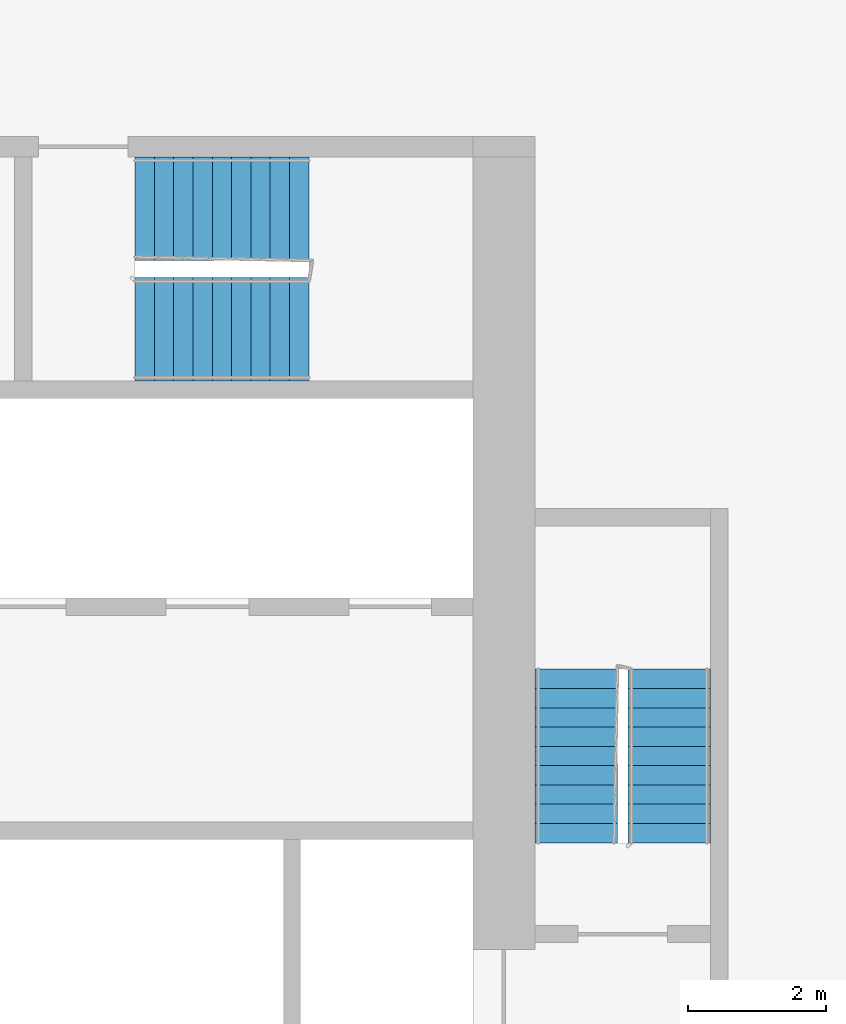
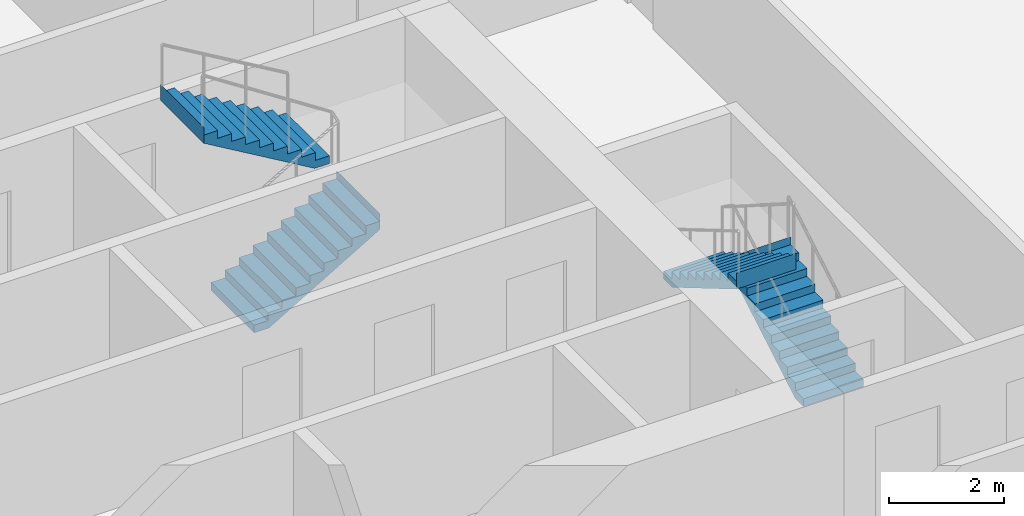
# One storey, part 11 of 12: 4 stair flights, 2 elements without a shape of their own.
"""IFC4 building model written with IfcOpenShell, lengths in metres."""

from ifc_helpers import new_model, si_unit, direction, frame, origin, place, context, subcontext, project, spatial, faceted_brep, material, type_object, element, aggregate, save


model = new_model("IFC4")

# Units and contexts
model_context = context("Model", 3, precision=1e-05, world=origin(), true_north=direction((0.0, 1.0)))
body_context = subcontext(model_context, "Body", "Model", "MODEL_VIEW")
ifc_project = project(units=[si_unit("LENGTHUNIT", "METRE"), si_unit("AREAUNIT", "SQUARE_METRE"), si_unit("VOLUMEUNIT", "CUBIC_METRE"), si_unit("PLANEANGLEUNIT", "RADIAN"), si_unit("MASSUNIT", "GRAM", prefix="KILO")], contexts=[model_context])

# Site, building, storey
site_placement = place(None, origin())
site = spatial("IfcSite", under=ifc_project, at=site_placement, CompositionType="ELEMENT")
building_placement = place(site_placement, origin())
building = spatial("IfcBuilding", under=site, at=building_placement, Name="Kajstack Hotel Tower", CompositionType="ELEMENT")
storey_placement = place(building_placement, frame((0.0, 0.0, 127.300048828125)))
storey = spatial("IfcBuildingStorey", under=building, at=storey_placement, Name="L28", CompositionType="ELEMENT", Elevation=127.300048828125)

# Stair, stair flights
ifc_material = material(Name="Concrete C40/50", Category="concrete")
stair_type_1 = type_object("IfcStairType", Name="Exit stair 1200", PredefinedType="HALF_TURN_STAIR", material=ifc_material)
stair_1_placement = place(storey_placement, origin())
stair_1 = element("IfcStair", 1, at=stair_1_placement, inside=storey, type_object=stair_type_1, Name="L28 stair E1", PredefinedType="HALF_TURN_STAIR")
stair_flight_type_1 = type_object("IfcStairFlightType", Name="Exit stair flight 1200", PredefinedType="STRAIGHT", material=ifc_material)
stair_flight_1_placement = place(storey_placement, frame((33.449951171875, 5.25, 0.0), z_axis=(0.0, 0.0, 1.0), x_axis=(0.0, 1.0, 0.0)))
stair_flight_1 = element("IfcStairFlight", 2, at=stair_flight_1_placement, type_object=stair_flight_type_1, Name="E1 flight 1", NumberOfRisers=10, NumberOfTreads=9, PredefinedType="STRAIGHT", RiserHeight=0.165, TreadLength=0.28, context=body_context, shape_type="Brep", body=[
    faceted_brep([(0.295654296875, -0.60009765625, 0.0), (2.5205078125, -0.60009765625, 1.31103515625), (2.5205078125, -0.60009765625, 1.64990234375), (2.52001953125, -0.60009765625, 1.64990234375), (2.52001953125, -0.60009765625, 1.485107421875), (2.239990234375, -0.60009765625, 1.485107421875), (2.239990234375, -0.60009765625, 1.320068359375), (1.9599609375, -0.60009765625, 1.320068359375), (1.9599609375, -0.60009765625, 1.155029296875), (1.679931640625, -0.60009765625, 1.155029296875), (1.679931640625, -0.60009765625, 0.989990234375), (1.39990234375, -0.60009765625, 0.989990234375), (1.39990234375, -0.60009765625, 0.824951171875), (1.1201171875, -0.60009765625, 0.824951171875), (1.1201171875, -0.60009765625, 0.659912109375), (0.840087890625, -0.60009765625, 0.659912109375), (0.840087890625, -0.60009765625, 0.4951171875), (0.56005859375, -0.60009765625, 0.4951171875), (0.56005859375, -0.60009765625, 0.330078125), (0.280029296875, -0.60009765625, 0.330078125), (0.280029296875, -0.60009765625, 0.1650390625), (-0.00048828125, -0.60009765625, 0.1650390625), (-0.00048828125, -0.60009765625, 0.0), (-0.00048828125, 0.60009765625, 0.0), (-0.00048828125, 0.60009765625, 0.1650390625), (0.280029296875, 0.60009765625, 0.1650390625), (0.280029296875, 0.60009765625, 0.330078125), (0.56005859375, 0.60009765625, 0.330078125), (0.56005859375, 0.60009765625, 0.4951171875), (0.840087890625, 0.60009765625, 0.4951171875), (0.840087890625, 0.60009765625, 0.659912109375), (1.1201171875, 0.60009765625, 0.659912109375), (1.1201171875, 0.60009765625, 0.824951171875), (1.39990234375, 0.60009765625, 0.824951171875), (1.39990234375, 0.60009765625, 0.989990234375), (1.679931640625, 0.60009765625, 0.989990234375), (1.679931640625, 0.60009765625, 1.155029296875), (1.9599609375, 0.60009765625, 1.155029296875), (1.9599609375, 0.60009765625, 1.320068359375), (2.239990234375, 0.60009765625, 1.320068359375), (2.239990234375, 0.60009765625, 1.485107421875), (2.52001953125, 0.60009765625, 1.485107421875), (2.52001953125, 0.60009765625, 1.64990234375), (2.5205078125, 0.60009765625, 1.64990234375), (2.5205078125, 0.60009765625, 1.31103515625), (0.295654296875, 0.60009765625, 0.0), (-0.00048828125, -0.300048828125, 0.1650390625), (-0.00048828125, 0.0, 0.1650390625), (-0.00048828125, 0.300048828125, 0.1650390625), (-0.00048828125, 0.300048828125, 0.0), (-0.00048828125, 0.0, 0.0), (-0.00048828125, -0.300048828125, 0.0), (0.280029296875, -0.300048828125, 0.1650390625), (0.280029296875, 0.0, 0.1650390625), (0.280029296875, 0.300048828125, 0.1650390625), (0.280029296875, -0.300048828125, 0.330078125), (0.280029296875, 0.0, 0.330078125), (0.280029296875, 0.300048828125, 0.330078125), (0.56005859375, -0.300048828125, 0.330078125), (0.56005859375, 0.0, 0.330078125), (0.56005859375, 0.300048828125, 0.330078125), (0.56005859375, -0.300048828125, 0.4951171875), (0.56005859375, 0.0, 0.4951171875), (0.56005859375, 0.300048828125, 0.4951171875), (0.840087890625, -0.300048828125, 0.4951171875), (0.840087890625, 0.0, 0.4951171875), (0.840087890625, 0.300048828125, 0.4951171875), (0.840087890625, -0.300048828125, 0.659912109375), (0.840087890625, 0.0, 0.659912109375), (0.840087890625, 0.300048828125, 0.659912109375), (1.1201171875, -0.300048828125, 0.659912109375), (1.1201171875, 0.0, 0.659912109375), (1.1201171875, 0.300048828125, 0.659912109375), (1.1201171875, -0.300048828125, 0.824951171875), (1.1201171875, 0.0, 0.824951171875), (1.1201171875, 0.300048828125, 0.824951171875), (1.39990234375, -0.300048828125, 0.824951171875), (1.39990234375, 0.0, 0.824951171875), (1.39990234375, 0.300048828125, 0.824951171875), (1.39990234375, -0.300048828125, 0.989990234375), (1.39990234375, 0.0, 0.989990234375), (1.39990234375, 0.300048828125, 0.989990234375), (1.679931640625, -0.300048828125, 0.989990234375), (1.679931640625, 0.0, 0.989990234375), (1.679931640625, 0.300048828125, 0.989990234375), (1.679931640625, -0.300048828125, 1.155029296875), (1.679931640625, 0.0, 1.155029296875), (1.679931640625, 0.300048828125, 1.155029296875), (1.9599609375, -0.300048828125, 1.155029296875), (1.9599609375, 0.0, 1.155029296875), (1.9599609375, 0.300048828125, 1.155029296875), (1.9599609375, -0.300048828125, 1.320068359375), (1.9599609375, 0.0, 1.320068359375), (1.9599609375, 0.300048828125, 1.320068359375), (2.239990234375, -0.300048828125, 1.320068359375), (2.239990234375, 0.0, 1.320068359375), (2.239990234375, 0.300048828125, 1.320068359375), (2.239990234375, -0.300048828125, 1.485107421875), (2.239990234375, 0.0, 1.485107421875), (2.239990234375, 0.300048828125, 1.485107421875), (2.52001953125, -0.300048828125, 1.485107421875), (2.52001953125, 0.0, 1.485107421875), (2.52001953125, 0.300048828125, 1.485107421875), (2.52001953125, -0.300048828125, 1.64990234375), (2.52001953125, 0.0, 1.64990234375), (2.52001953125, 0.300048828125, 1.64990234375), (2.5205078125, -0.300048828125, 1.64990234375), (2.5205078125, 0.0, 1.64990234375), (2.5205078125, 0.300048828125, 1.64990234375), (2.5205078125, -0.300048828125, 1.31103515625), (2.5205078125, 0.0, 1.31103515625), (2.5205078125, 0.300048828125, 1.31103515625), (0.295654296875, -0.300048828125, 0.0), (0.295654296875, 0.0, 0.0), (0.295654296875, 0.300048828125, 0.0)], [[[0, 1, 2, 3, 4, 5, 6, 7, 8, 9, 10, 11, 12, 13, 14, 15, 16, 17, 18, 19, 20, 21, 22]], [[23, 24, 25, 26, 27, 28, 29, 30, 31, 32, 33, 34, 35, 36, 37, 38, 39, 40, 41, 42, 43, 44, 45]], [[21, 46, 47, 48, 24, 23, 49, 50, 51, 22]], [[20, 52, 53, 54, 25, 24, 48, 47, 46, 21]], [[19, 55, 56, 57, 26, 25, 54, 53, 52, 20]], [[18, 58, 59, 60, 27, 26, 57, 56, 55, 19]], [[17, 61, 62, 63, 28, 27, 60, 59, 58, 18]], [[16, 64, 65, 66, 29, 28, 63, 62, 61, 17]], [[15, 67, 68, 69, 30, 29, 66, 65, 64, 16]], [[14, 70, 71, 72, 31, 30, 69, 68, 67, 15]], [[13, 73, 74, 75, 32, 31, 72, 71, 70, 14]], [[12, 76, 77, 78, 33, 32, 75, 74, 73, 13]], [[11, 79, 80, 81, 34, 33, 78, 77, 76, 12]], [[10, 82, 83, 84, 35, 34, 81, 80, 79, 11]], [[9, 85, 86, 87, 36, 35, 84, 83, 82, 10]], [[8, 88, 89, 90, 37, 36, 87, 86, 85, 9]], [[7, 91, 92, 93, 38, 37, 90, 89, 88, 8]], [[6, 94, 95, 96, 39, 38, 93, 92, 91, 7]], [[5, 97, 98, 99, 40, 39, 96, 95, 94, 6]], [[4, 100, 101, 102, 41, 40, 99, 98, 97, 5]], [[3, 103, 104, 105, 42, 41, 102, 101, 100, 4]], [[2, 106, 107, 108, 43, 42, 105, 104, 103, 3]], [[1, 109, 110, 111, 44, 43, 108, 107, 106, 2]], [[0, 112, 113, 114, 45, 44, 111, 110, 109, 1]], [[22, 51, 50, 49, 23, 45, 114, 113, 112, 0]]]),
])
stair_flight_2_placement = place(storey_placement, frame((32.10009765625, 7.77001953125, 1.64990234375), z_axis=(0.0, 0.0, 1.0), x_axis=(0.0, -1.0, 0.0)))
stair_flight_2 = element("IfcStairFlight", 3, at=stair_flight_2_placement, type_object=stair_flight_type_1, Name="E1 flight 2", NumberOfRisers=10, NumberOfTreads=9, PredefinedType="STRAIGHT", RiserHeight=0.165, TreadLength=0.28, context=body_context, shape_type="Brep", body=[
    faceted_brep([(0.295654296875, -0.60009765625, 0.0), (2.5205078125, -0.60009765625, 1.31103515625), (2.5205078125, -0.60009765625, 1.64990234375), (2.52001953125, -0.60009765625, 1.64990234375), (2.52001953125, -0.60009765625, 1.485107421875), (2.239990234375, -0.60009765625, 1.485107421875), (2.239990234375, -0.60009765625, 1.320068359375), (1.9599609375, -0.60009765625, 1.320068359375), (1.9599609375, -0.60009765625, 1.155029296875), (1.679931640625, -0.60009765625, 1.155029296875), (1.679931640625, -0.60009765625, 0.989990234375), (1.39990234375, -0.60009765625, 0.989990234375), (1.39990234375, -0.60009765625, 0.824951171875), (1.1201171875, -0.60009765625, 0.824951171875), (1.1201171875, -0.60009765625, 0.659912109375), (0.840087890625, -0.60009765625, 0.659912109375), (0.840087890625, -0.60009765625, 0.4951171875), (0.56005859375, -0.60009765625, 0.4951171875), (0.56005859375, -0.60009765625, 0.330078125), (0.280029296875, -0.60009765625, 0.330078125), (0.280029296875, -0.60009765625, 0.1650390625), (-0.00048828125, -0.60009765625, 0.1650390625), (-0.00048828125, -0.60009765625, 0.0), (-0.00048828125, 0.60009765625, 0.0), (-0.00048828125, 0.60009765625, 0.1650390625), (0.280029296875, 0.60009765625, 0.1650390625), (0.280029296875, 0.60009765625, 0.330078125), (0.56005859375, 0.60009765625, 0.330078125), (0.56005859375, 0.60009765625, 0.4951171875), (0.840087890625, 0.60009765625, 0.4951171875), (0.840087890625, 0.60009765625, 0.659912109375), (1.1201171875, 0.60009765625, 0.659912109375), (1.1201171875, 0.60009765625, 0.824951171875), (1.39990234375, 0.60009765625, 0.824951171875), (1.39990234375, 0.60009765625, 0.989990234375), (1.679931640625, 0.60009765625, 0.989990234375), (1.679931640625, 0.60009765625, 1.155029296875), (1.9599609375, 0.60009765625, 1.155029296875), (1.9599609375, 0.60009765625, 1.320068359375), (2.239990234375, 0.60009765625, 1.320068359375), (2.239990234375, 0.60009765625, 1.485107421875), (2.52001953125, 0.60009765625, 1.485107421875), (2.52001953125, 0.60009765625, 1.64990234375), (2.5205078125, 0.60009765625, 1.64990234375), (2.5205078125, 0.60009765625, 1.31103515625), (0.295654296875, 0.60009765625, 0.0), (-0.00048828125, -0.300048828125, 0.1650390625), (-0.00048828125, 0.0, 0.1650390625), (-0.00048828125, 0.300048828125, 0.1650390625), (-0.00048828125, 0.300048828125, 0.0), (-0.00048828125, 0.0, 0.0), (-0.00048828125, -0.300048828125, 0.0), (0.280029296875, -0.300048828125, 0.1650390625), (0.280029296875, 0.0, 0.1650390625), (0.280029296875, 0.300048828125, 0.1650390625), (0.280029296875, -0.300048828125, 0.330078125), (0.280029296875, 0.0, 0.330078125), (0.280029296875, 0.300048828125, 0.330078125), (0.56005859375, -0.300048828125, 0.330078125), (0.56005859375, 0.0, 0.330078125), (0.56005859375, 0.300048828125, 0.330078125), (0.56005859375, -0.300048828125, 0.4951171875), (0.56005859375, 0.0, 0.4951171875), (0.56005859375, 0.300048828125, 0.4951171875), (0.840087890625, -0.300048828125, 0.4951171875), (0.840087890625, 0.0, 0.4951171875), (0.840087890625, 0.300048828125, 0.4951171875), (0.840087890625, -0.300048828125, 0.659912109375), (0.840087890625, 0.0, 0.659912109375), (0.840087890625, 0.300048828125, 0.659912109375), (1.1201171875, -0.300048828125, 0.659912109375), (1.1201171875, 0.0, 0.659912109375), (1.1201171875, 0.300048828125, 0.659912109375), (1.1201171875, -0.300048828125, 0.824951171875), (1.1201171875, 0.0, 0.824951171875), (1.1201171875, 0.300048828125, 0.824951171875), (1.39990234375, -0.300048828125, 0.824951171875), (1.39990234375, 0.0, 0.824951171875), (1.39990234375, 0.300048828125, 0.824951171875), (1.39990234375, -0.300048828125, 0.989990234375), (1.39990234375, 0.0, 0.989990234375), (1.39990234375, 0.300048828125, 0.989990234375), (1.679931640625, -0.300048828125, 0.989990234375), (1.679931640625, 0.0, 0.989990234375), (1.679931640625, 0.300048828125, 0.989990234375), (1.679931640625, -0.300048828125, 1.155029296875), (1.679931640625, 0.0, 1.155029296875), (1.679931640625, 0.300048828125, 1.155029296875), (1.9599609375, -0.300048828125, 1.155029296875), (1.9599609375, 0.0, 1.155029296875), (1.9599609375, 0.300048828125, 1.155029296875), (1.9599609375, -0.300048828125, 1.320068359375), (1.9599609375, 0.0, 1.320068359375), (1.9599609375, 0.300048828125, 1.320068359375), (2.239990234375, -0.300048828125, 1.320068359375), (2.239990234375, 0.0, 1.320068359375), (2.239990234375, 0.300048828125, 1.320068359375), (2.239990234375, -0.300048828125, 1.485107421875), (2.239990234375, 0.0, 1.485107421875), (2.239990234375, 0.300048828125, 1.485107421875), (2.52001953125, -0.300048828125, 1.485107421875), (2.52001953125, 0.0, 1.485107421875), (2.52001953125, 0.300048828125, 1.485107421875), (2.52001953125, -0.300048828125, 1.64990234375), (2.52001953125, 0.0, 1.64990234375), (2.52001953125, 0.300048828125, 1.64990234375), (2.5205078125, -0.300048828125, 1.64990234375), (2.5205078125, 0.0, 1.64990234375), (2.5205078125, 0.300048828125, 1.64990234375), (2.5205078125, -0.300048828125, 1.31103515625), (2.5205078125, 0.0, 1.31103515625), (2.5205078125, 0.300048828125, 1.31103515625), (0.295654296875, -0.300048828125, 0.0), (0.295654296875, 0.0, 0.0), (0.295654296875, 0.300048828125, 0.0)], [[[0, 1, 2, 3, 4, 5, 6, 7, 8, 9, 10, 11, 12, 13, 14, 15, 16, 17, 18, 19, 20, 21, 22]], [[23, 24, 25, 26, 27, 28, 29, 30, 31, 32, 33, 34, 35, 36, 37, 38, 39, 40, 41, 42, 43, 44, 45]], [[21, 46, 47, 48, 24, 23, 49, 50, 51, 22]], [[20, 52, 53, 54, 25, 24, 48, 47, 46, 21]], [[19, 55, 56, 57, 26, 25, 54, 53, 52, 20]], [[18, 58, 59, 60, 27, 26, 57, 56, 55, 19]], [[17, 61, 62, 63, 28, 27, 60, 59, 58, 18]], [[16, 64, 65, 66, 29, 28, 63, 62, 61, 17]], [[15, 67, 68, 69, 30, 29, 66, 65, 64, 16]], [[14, 70, 71, 72, 31, 30, 69, 68, 67, 15]], [[13, 73, 74, 75, 32, 31, 72, 71, 70, 14]], [[12, 76, 77, 78, 33, 32, 75, 74, 73, 13]], [[11, 79, 80, 81, 34, 33, 78, 77, 76, 12]], [[10, 82, 83, 84, 35, 34, 81, 80, 79, 11]], [[9, 85, 86, 87, 36, 35, 84, 83, 82, 10]], [[8, 88, 89, 90, 37, 36, 87, 86, 85, 9]], [[7, 91, 92, 93, 38, 37, 90, 89, 88, 8]], [[6, 94, 95, 96, 39, 38, 93, 92, 91, 7]], [[5, 97, 98, 99, 40, 39, 96, 95, 94, 6]], [[4, 100, 101, 102, 41, 40, 99, 98, 97, 5]], [[3, 103, 104, 105, 42, 41, 102, 101, 100, 4]], [[2, 106, 107, 108, 43, 42, 105, 104, 103, 3]], [[1, 109, 110, 111, 44, 43, 108, 107, 106, 2]], [[0, 112, 113, 114, 45, 44, 111, 110, 109, 1]], [[22, 51, 50, 49, 23, 45, 114, 113, 112, 0]]]),
])
aggregate(stair_1, [stair_flight_1, stair_flight_2])

stair_type_2 = type_object("IfcStairType", Name="Exit stair 1500", PredefinedType="HALF_TURN_STAIR", material=ifc_material)
stair_2_placement = place(storey_placement, origin())
stair_2 = element("IfcStair", 4, at=stair_2_placement, inside=storey, type_object=stair_type_2, Name="L28 stair E3", PredefinedType="HALF_TURN_STAIR")
stair_flight_type_2 = type_object("IfcStairFlightType", Name="Exit stair flight 1500", PredefinedType="STRAIGHT", material=ifc_material)
stair_flight_3_placement = place(storey_placement, frame((25.699951171875, 12.699951171875, 0.0), z_axis=(0.0, 0.0, 1.0), x_axis=(1.0, 0.0, 0.0)))
stair_flight_3 = element("IfcStairFlight", 5, at=stair_flight_3_placement, type_object=stair_flight_type_2, Name="E3 flight 1", NumberOfRisers=10, NumberOfTreads=9, PredefinedType="STRAIGHT", RiserHeight=0.165, TreadLength=0.28, context=body_context, shape_type="Brep", body=[
    faceted_brep([(0.295654296875, -0.75, 0.0), (2.5205078125, -0.75, 1.31103515625), (2.5205078125, -0.75, 1.64990234375), (2.52001953125, -0.75, 1.64990234375), (2.52001953125, -0.75, 1.485107421875), (2.239990234375, -0.75, 1.485107421875), (2.239990234375, -0.75, 1.320068359375), (1.9599609375, -0.75, 1.320068359375), (1.9599609375, -0.75, 1.155029296875), (1.679931640625, -0.75, 1.155029296875), (1.679931640625, -0.75, 0.989990234375), (1.39990234375, -0.75, 0.989990234375), (1.39990234375, -0.75, 0.824951171875), (1.1201171875, -0.75, 0.824951171875), (1.1201171875, -0.75, 0.659912109375), (0.840087890625, -0.75, 0.659912109375), (0.840087890625, -0.75, 0.4951171875), (0.56005859375, -0.75, 0.4951171875), (0.56005859375, -0.75, 0.330078125), (0.280029296875, -0.75, 0.330078125), (0.280029296875, -0.75, 0.1650390625), (-0.00048828125, -0.75, 0.1650390625), (-0.00048828125, -0.75, 0.0), (-0.00048828125, 0.75, 0.0), (-0.00048828125, 0.75, 0.1650390625), (0.280029296875, 0.75, 0.1650390625), (0.280029296875, 0.75, 0.330078125), (0.56005859375, 0.75, 0.330078125), (0.56005859375, 0.75, 0.4951171875), (0.840087890625, 0.75, 0.4951171875), (0.840087890625, 0.75, 0.659912109375), (1.1201171875, 0.75, 0.659912109375), (1.1201171875, 0.75, 0.824951171875), (1.39990234375, 0.75, 0.824951171875), (1.39990234375, 0.75, 0.989990234375), (1.679931640625, 0.75, 0.989990234375), (1.679931640625, 0.75, 1.155029296875), (1.9599609375, 0.75, 1.155029296875), (1.9599609375, 0.75, 1.320068359375), (2.239990234375, 0.75, 1.320068359375), (2.239990234375, 0.75, 1.485107421875), (2.52001953125, 0.75, 1.485107421875), (2.52001953125, 0.75, 1.64990234375), (2.5205078125, 0.75, 1.64990234375), (2.5205078125, 0.75, 1.31103515625), (0.295654296875, 0.75, 0.0), (-0.00048828125, -0.375, 0.1650390625), (-0.00048828125, 0.0, 0.1650390625), (-0.00048828125, 0.375, 0.1650390625), (-0.00048828125, 0.375, 0.0), (-0.00048828125, 0.0, 0.0), (-0.00048828125, -0.375, 0.0), (0.280029296875, -0.375, 0.1650390625), (0.280029296875, 0.0, 0.1650390625), (0.280029296875, 0.375, 0.1650390625), (0.280029296875, -0.375, 0.330078125), (0.280029296875, 0.0, 0.330078125), (0.280029296875, 0.375, 0.330078125), (0.56005859375, -0.375, 0.330078125), (0.56005859375, 0.0, 0.330078125), (0.56005859375, 0.375, 0.330078125), (0.56005859375, -0.375, 0.4951171875), (0.56005859375, 0.0, 0.4951171875), (0.56005859375, 0.375, 0.4951171875), (0.840087890625, -0.375, 0.4951171875), (0.840087890625, 0.0, 0.4951171875), (0.840087890625, 0.375, 0.4951171875), (0.840087890625, -0.375, 0.659912109375), (0.840087890625, 0.0, 0.659912109375), (0.840087890625, 0.375, 0.659912109375), (1.1201171875, -0.375, 0.659912109375), (1.1201171875, 0.0, 0.659912109375), (1.1201171875, 0.375, 0.659912109375), (1.1201171875, -0.375, 0.824951171875), (1.1201171875, 0.0, 0.824951171875), (1.1201171875, 0.375, 0.824951171875), (1.39990234375, -0.375, 0.824951171875), (1.39990234375, 0.0, 0.824951171875), (1.39990234375, 0.375, 0.824951171875), (1.39990234375, -0.375, 0.989990234375), (1.39990234375, 0.0, 0.989990234375), (1.39990234375, 0.375, 0.989990234375), (1.679931640625, -0.375, 0.989990234375), (1.679931640625, 0.0, 0.989990234375), (1.679931640625, 0.375, 0.989990234375), (1.679931640625, -0.375, 1.155029296875), (1.679931640625, 0.0, 1.155029296875), (1.679931640625, 0.375, 1.155029296875), (1.9599609375, -0.375, 1.155029296875), (1.9599609375, 0.0, 1.155029296875), (1.9599609375, 0.375, 1.155029296875), (1.9599609375, -0.375, 1.320068359375), (1.9599609375, 0.0, 1.320068359375), (1.9599609375, 0.375, 1.320068359375), (2.239990234375, -0.375, 1.320068359375), (2.239990234375, 0.0, 1.320068359375), (2.239990234375, 0.375, 1.320068359375), (2.239990234375, -0.375, 1.485107421875), (2.239990234375, 0.0, 1.485107421875), (2.239990234375, 0.375, 1.485107421875), (2.52001953125, -0.375, 1.485107421875), (2.52001953125, 0.0, 1.485107421875), (2.52001953125, 0.375, 1.485107421875), (2.52001953125, -0.375, 1.64990234375), (2.52001953125, 0.0, 1.64990234375), (2.52001953125, 0.375, 1.64990234375), (2.5205078125, -0.375, 1.64990234375), (2.5205078125, 0.0, 1.64990234375), (2.5205078125, 0.375, 1.64990234375), (2.5205078125, -0.375, 1.31103515625), (2.5205078125, 0.0, 1.31103515625), (2.5205078125, 0.375, 1.31103515625), (0.295654296875, -0.375, 0.0), (0.295654296875, 0.0, 0.0), (0.295654296875, 0.375, 0.0)], [[[0, 1, 2, 3, 4, 5, 6, 7, 8, 9, 10, 11, 12, 13, 14, 15, 16, 17, 18, 19, 20, 21, 22]], [[23, 24, 25, 26, 27, 28, 29, 30, 31, 32, 33, 34, 35, 36, 37, 38, 39, 40, 41, 42, 43, 44, 45]], [[21, 46, 47, 48, 24, 23, 49, 50, 51, 22]], [[20, 52, 53, 54, 25, 24, 48, 47, 46, 21]], [[19, 55, 56, 57, 26, 25, 54, 53, 52, 20]], [[18, 58, 59, 60, 27, 26, 57, 56, 55, 19]], [[17, 61, 62, 63, 28, 27, 60, 59, 58, 18]], [[16, 64, 65, 66, 29, 28, 63, 62, 61, 17]], [[15, 67, 68, 69, 30, 29, 66, 65, 64, 16]], [[14, 70, 71, 72, 31, 30, 69, 68, 67, 15]], [[13, 73, 74, 75, 32, 31, 72, 71, 70, 14]], [[12, 76, 77, 78, 33, 32, 75, 74, 73, 13]], [[11, 79, 80, 81, 34, 33, 78, 77, 76, 12]], [[10, 82, 83, 84, 35, 34, 81, 80, 79, 11]], [[9, 85, 86, 87, 36, 35, 84, 83, 82, 10]], [[8, 88, 89, 90, 37, 36, 87, 86, 85, 9]], [[7, 91, 92, 93, 38, 37, 90, 89, 88, 8]], [[6, 94, 95, 96, 39, 38, 93, 92, 91, 7]], [[5, 97, 98, 99, 40, 39, 96, 95, 94, 6]], [[4, 100, 101, 102, 41, 40, 99, 98, 97, 5]], [[3, 103, 104, 105, 42, 41, 102, 101, 100, 4]], [[2, 106, 107, 108, 43, 42, 105, 104, 103, 3]], [[1, 109, 110, 111, 44, 43, 108, 107, 106, 2]], [[0, 112, 113, 114, 45, 44, 111, 110, 109, 1]], [[22, 51, 50, 49, 23, 45, 114, 113, 112, 0]]]),
])
stair_flight_4_placement = place(storey_placement, frame((28.219970703125, 14.449951171875, 1.64990234375), z_axis=(0.0, 0.0, 1.0), x_axis=(-1.0, 0.0, 0.0)))
stair_flight_4 = element("IfcStairFlight", 6, at=stair_flight_4_placement, type_object=stair_flight_type_2, Name="E3 flight 2", NumberOfRisers=10, NumberOfTreads=9, PredefinedType="STRAIGHT", RiserHeight=0.165, TreadLength=0.28, context=body_context, shape_type="Brep", body=[
    faceted_brep([(0.295654296875, -0.75, 0.0), (2.5205078125, -0.75, 1.31103515625), (2.5205078125, -0.75, 1.64990234375), (2.52001953125, -0.75, 1.64990234375), (2.52001953125, -0.75, 1.485107421875), (2.239990234375, -0.75, 1.485107421875), (2.239990234375, -0.75, 1.320068359375), (1.9599609375, -0.75, 1.320068359375), (1.9599609375, -0.75, 1.155029296875), (1.679931640625, -0.75, 1.155029296875), (1.679931640625, -0.75, 0.989990234375), (1.39990234375, -0.75, 0.989990234375), (1.39990234375, -0.75, 0.824951171875), (1.1201171875, -0.75, 0.824951171875), (1.1201171875, -0.75, 0.659912109375), (0.840087890625, -0.75, 0.659912109375), (0.840087890625, -0.75, 0.4951171875), (0.56005859375, -0.75, 0.4951171875), (0.56005859375, -0.75, 0.330078125), (0.280029296875, -0.75, 0.330078125), (0.280029296875, -0.75, 0.1650390625), (-0.00048828125, -0.75, 0.1650390625), (-0.00048828125, -0.75, 0.0), (-0.00048828125, 0.75, 0.0), (-0.00048828125, 0.75, 0.1650390625), (0.280029296875, 0.75, 0.1650390625), (0.280029296875, 0.75, 0.330078125), (0.56005859375, 0.75, 0.330078125), (0.56005859375, 0.75, 0.4951171875), (0.840087890625, 0.75, 0.4951171875), (0.840087890625, 0.75, 0.659912109375), (1.1201171875, 0.75, 0.659912109375), (1.1201171875, 0.75, 0.824951171875), (1.39990234375, 0.75, 0.824951171875), (1.39990234375, 0.75, 0.989990234375), (1.679931640625, 0.75, 0.989990234375), (1.679931640625, 0.75, 1.155029296875), (1.9599609375, 0.75, 1.155029296875), (1.9599609375, 0.75, 1.320068359375), (2.239990234375, 0.75, 1.320068359375), (2.239990234375, 0.75, 1.485107421875), (2.52001953125, 0.75, 1.485107421875), (2.52001953125, 0.75, 1.64990234375), (2.5205078125, 0.75, 1.64990234375), (2.5205078125, 0.75, 1.31103515625), (0.295654296875, 0.75, 0.0), (-0.00048828125, -0.375, 0.1650390625), (-0.00048828125, 0.0, 0.1650390625), (-0.00048828125, 0.375, 0.1650390625), (-0.00048828125, 0.375, 0.0), (-0.00048828125, 0.0, 0.0), (-0.00048828125, -0.375, 0.0), (0.280029296875, -0.375, 0.1650390625), (0.280029296875, 0.0, 0.1650390625), (0.280029296875, 0.375, 0.1650390625), (0.280029296875, -0.375, 0.330078125), (0.280029296875, 0.0, 0.330078125), (0.280029296875, 0.375, 0.330078125), (0.56005859375, -0.375, 0.330078125), (0.56005859375, 0.0, 0.330078125), (0.56005859375, 0.375, 0.330078125), (0.56005859375, -0.375, 0.4951171875), (0.56005859375, 0.0, 0.4951171875), (0.56005859375, 0.375, 0.4951171875), (0.840087890625, -0.375, 0.4951171875), (0.840087890625, 0.0, 0.4951171875), (0.840087890625, 0.375, 0.4951171875), (0.840087890625, -0.375, 0.659912109375), (0.840087890625, 0.0, 0.659912109375), (0.840087890625, 0.375, 0.659912109375), (1.1201171875, -0.375, 0.659912109375), (1.1201171875, 0.0, 0.659912109375), (1.1201171875, 0.375, 0.659912109375), (1.1201171875, -0.375, 0.824951171875), (1.1201171875, 0.0, 0.824951171875), (1.1201171875, 0.375, 0.824951171875), (1.39990234375, -0.375, 0.824951171875), (1.39990234375, 0.0, 0.824951171875), (1.39990234375, 0.375, 0.824951171875), (1.39990234375, -0.375, 0.989990234375), (1.39990234375, 0.0, 0.989990234375), (1.39990234375, 0.375, 0.989990234375), (1.679931640625, -0.375, 0.989990234375), (1.679931640625, 0.0, 0.989990234375), (1.679931640625, 0.375, 0.989990234375), (1.679931640625, -0.375, 1.155029296875), (1.679931640625, 0.0, 1.155029296875), (1.679931640625, 0.375, 1.155029296875), (1.9599609375, -0.375, 1.155029296875), (1.9599609375, 0.0, 1.155029296875), (1.9599609375, 0.375, 1.155029296875), (1.9599609375, -0.375, 1.320068359375), (1.9599609375, 0.0, 1.320068359375), (1.9599609375, 0.375, 1.320068359375), (2.239990234375, -0.375, 1.320068359375), (2.239990234375, 0.0, 1.320068359375), (2.239990234375, 0.375, 1.320068359375), (2.239990234375, -0.375, 1.485107421875), (2.239990234375, 0.0, 1.485107421875), (2.239990234375, 0.375, 1.485107421875), (2.52001953125, -0.375, 1.485107421875), (2.52001953125, 0.0, 1.485107421875), (2.52001953125, 0.375, 1.485107421875), (2.52001953125, -0.375, 1.64990234375), (2.52001953125, 0.0, 1.64990234375), (2.52001953125, 0.375, 1.64990234375), (2.5205078125, -0.375, 1.64990234375), (2.5205078125, 0.0, 1.64990234375), (2.5205078125, 0.375, 1.64990234375), (2.5205078125, -0.375, 1.31103515625), (2.5205078125, 0.0, 1.31103515625), (2.5205078125, 0.375, 1.31103515625), (0.295654296875, -0.375, 0.0), (0.295654296875, 0.0, 0.0), (0.295654296875, 0.375, 0.0)], [[[0, 1, 2, 3, 4, 5, 6, 7, 8, 9, 10, 11, 12, 13, 14, 15, 16, 17, 18, 19, 20, 21, 22]], [[23, 24, 25, 26, 27, 28, 29, 30, 31, 32, 33, 34, 35, 36, 37, 38, 39, 40, 41, 42, 43, 44, 45]], [[21, 46, 47, 48, 24, 23, 49, 50, 51, 22]], [[20, 52, 53, 54, 25, 24, 48, 47, 46, 21]], [[19, 55, 56, 57, 26, 25, 54, 53, 52, 20]], [[18, 58, 59, 60, 27, 26, 57, 56, 55, 19]], [[17, 61, 62, 63, 28, 27, 60, 59, 58, 18]], [[16, 64, 65, 66, 29, 28, 63, 62, 61, 17]], [[15, 67, 68, 69, 30, 29, 66, 65, 64, 16]], [[14, 70, 71, 72, 31, 30, 69, 68, 67, 15]], [[13, 73, 74, 75, 32, 31, 72, 71, 70, 14]], [[12, 76, 77, 78, 33, 32, 75, 74, 73, 13]], [[11, 79, 80, 81, 34, 33, 78, 77, 76, 12]], [[10, 82, 83, 84, 35, 34, 81, 80, 79, 11]], [[9, 85, 86, 87, 36, 35, 84, 83, 82, 10]], [[8, 88, 89, 90, 37, 36, 87, 86, 85, 9]], [[7, 91, 92, 93, 38, 37, 90, 89, 88, 8]], [[6, 94, 95, 96, 39, 38, 93, 92, 91, 7]], [[5, 97, 98, 99, 40, 39, 96, 95, 94, 6]], [[4, 100, 101, 102, 41, 40, 99, 98, 97, 5]], [[3, 103, 104, 105, 42, 41, 102, 101, 100, 4]], [[2, 106, 107, 108, 43, 42, 105, 104, 103, 3]], [[1, 109, 110, 111, 44, 43, 108, 107, 106, 2]], [[0, 112, 113, 114, 45, 44, 111, 110, 109, 1]], [[22, 51, 50, 49, 23, 45, 114, 113, 112, 0]]]),
])
aggregate(stair_2, [stair_flight_3, stair_flight_4])

save(model, "model.ifc")
